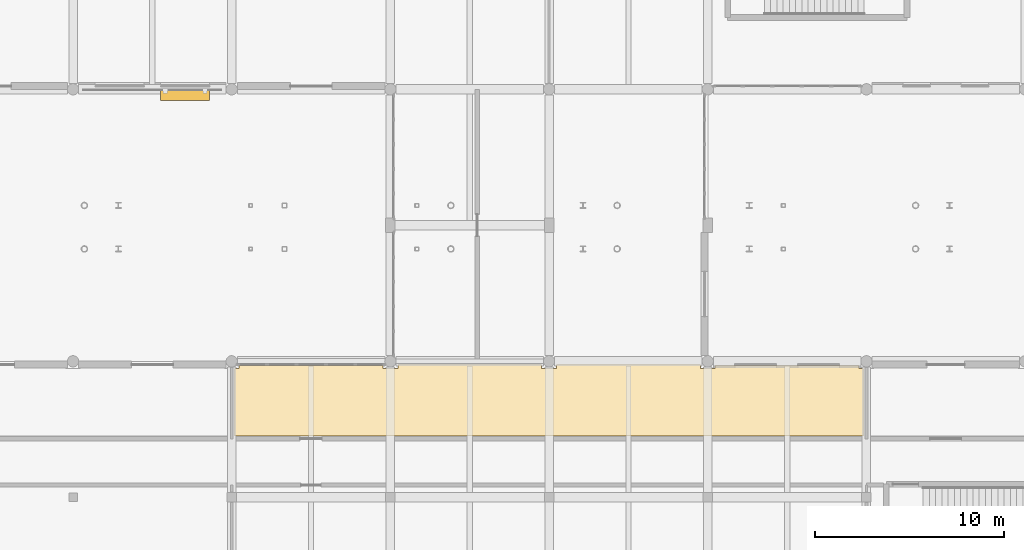
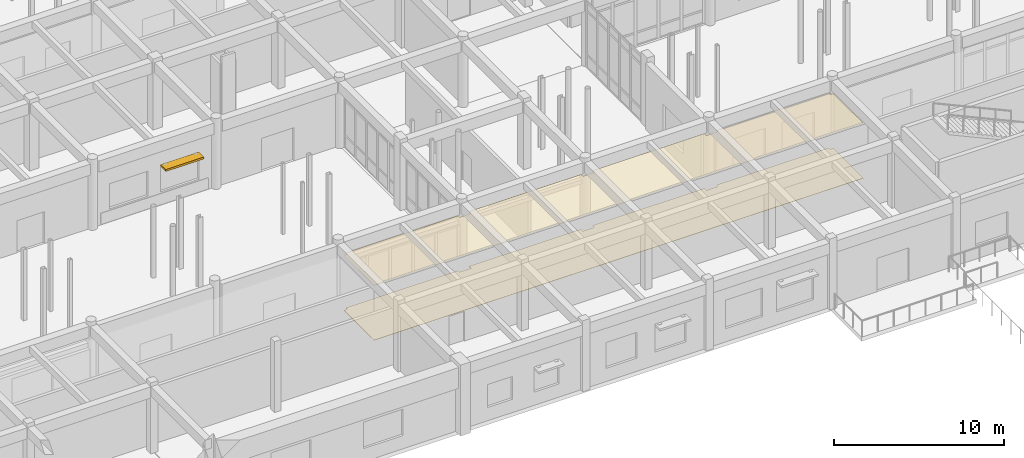
# One storey, part 104 of 121: 2 coverings, 1 shading device.
"""IFC4 building model written with IfcOpenShell, lengths in metres."""

import ifcopenshell
import ifcopenshell.guid

model = None  # the IFC model being written
_history = None  # IfcOwnerHistory: only IFC2X3 demands one
_inside = {}  # id of a spatial element -> (the spatial element, [elements in it])
_under = {}  # id of a project, library or spatial element -> (it, [spatial elements below it])
_declared = {}  # id of a project -> (the project, [libraries it declares])
_typed = {}  # id of a type object -> (the type object, [elements of that type])
_made_of = {}  # id of a material, layer set ... -> (it, [elements and type objects made of it])


def new_model(schema):
    """Start an empty IFC model of exactly this schema.

    Asked for "IFC4X3", IfcOpenShell would pick the latest addendum, in which some entities
    have other attributes; the version numbers below select the first issue.
    IFC2X3 requires an IfcOwnerHistory on every rooted entity: one is made here for all.
    """
    global model, _history
    if schema == "IFC4X3":
        model = ifcopenshell.file(schema_version=(4, 3, 0, 0))
    else:
        model = ifcopenshell.file(schema=schema)
    _inside.clear()
    _under.clear()
    _declared.clear()
    _typed.clear()
    _made_of.clear()
    _history = None
    if model.schema == "IFC2X3":
        org = make("IfcOrganization", Name="unknown")
        user = make(
            "IfcPersonAndOrganization",
            ThePerson=make("IfcPerson", FamilyName="unknown"),
            TheOrganization=org,
        )
        app = make(
            "IfcApplication",
            ApplicationDeveloper=org,
            Version="unknown",
            ApplicationFullName="unknown",
            ApplicationIdentifier="unknown",
        )
        _history = make(
            "IfcOwnerHistory",
            OwningUser=user,
            OwningApplication=app,
            ChangeAction="ADDED",
            CreationDate=0,
        )
    return model


def make(cls, **values):
    """One entity of the class cls with the attributes given. An attribute that is None is left unset."""
    return model.create_entity(
        cls, **{name: value for name, value in values.items() if value is not None}
    )


def rooted(cls, **values):
    """An entity with a GlobalId (a new one), such as an element, a storey or a relation."""
    return make(cls, GlobalId=ifcopenshell.guid.new(), OwnerHistory=_history, **values)


def si_unit(unit_type, name, prefix=None):
    """IfcSIUnit, for example si_unit("LENGTHUNIT", "METRE", prefix="MILLI")."""
    return make("IfcSIUnit", UnitType=unit_type, Prefix=prefix, Name=name)


def assignment(units):
    """IfcUnitAssignment: the units of a project."""
    return None if units is None else make("IfcUnitAssignment", Units=units)


def point(xyz):
    """IfcCartesianPoint."""
    return None if xyz is None else make("IfcCartesianPoint", Coordinates=xyz)


def direction(xyz):
    """IfcDirection."""
    return None if xyz is None else make("IfcDirection", DirectionRatios=xyz)


def frame(location, z_axis=None, x_axis=None):
    """IfcAxis2Placement3D, a coordinate frame: its origin and axes. An axis left out is left unset."""
    return make(
        "IfcAxis2Placement3D",
        Location=point(location),
        Axis=direction(z_axis),
        RefDirection=direction(x_axis),
    )


def frame_2d(location, x_axis=None):
    """IfcAxis2Placement2D, a coordinate frame in the plane: its origin and x axis."""
    return make(
        "IfcAxis2Placement2D", Location=point(location), RefDirection=direction(x_axis)
    )


def origin():
    """The frame at (0, 0, 0) with its axes left unset."""
    return frame((0.0, 0.0, 0.0))


def origin_2d():
    """The frame at (0, 0) in the plane with its x axis left unset."""
    return frame_2d((0.0, 0.0))


def place(relative_to, where):
    """IfcLocalPlacement: puts the frame where relative to a parent placement (None: the world)."""
    return make(
        "IfcLocalPlacement", PlacementRelTo=relative_to, RelativePlacement=where
    )


def context(
    kind, dimensions, precision=None, world=None, true_north=None, identifier=None
):
    """IfcGeometricRepresentationContext, for example the 3D "Model" context."""
    return make(
        "IfcGeometricRepresentationContext",
        ContextIdentifier=identifier,
        ContextType=kind,
        CoordinateSpaceDimension=dimensions,
        Precision=precision,
        WorldCoordinateSystem=world,
        TrueNorth=true_north,
    )


def subcontext(parent, identifier, kind, view, scale=None):
    """IfcGeometricRepresentationSubContext, for example "Body" below "Model"."""
    return make(
        "IfcGeometricRepresentationSubContext",
        ContextIdentifier=identifier,
        ContextType=kind,
        ParentContext=parent,
        TargetScale=scale,
        TargetView=view,
    )


def project(units=None, contexts=None):
    """IfcProject with its units and contexts."""
    return rooted(
        "IfcProject",
        Name="project",
        RepresentationContexts=contexts,
        UnitsInContext=assignment(units),
    )


def spatial(cls, under=None, at=None, **own):
    """A site, building, storey or space (cls), placed at a placement, below another one or the project."""
    s = rooted(cls, ObjectPlacement=at, **own)
    if under is not None:
        _under.setdefault(under.id(), (under, []))[1].append(s)
    return s


def polyline(points):
    """IfcPolyline through the points."""
    return make("IfcPolyline", Points=[point(p) for p in points])


def profile(cls, at=None, kind="AREA", **sizes):
    """A parametric profile (cls). Its sizes go by their IFC names, for example OverallWidth=200.0."""
    return make(cls, ProfileType=kind, Position=at, **sizes)


def rectangle(**sizes):
    """IfcRectangleProfileDef."""
    return profile("IfcRectangleProfileDef", **sizes)


def outline(outer, holes=None, kind="AREA"):
    """IfcArbitraryClosedProfileDef: a profile drawn as a closed curve; with holes, ...WithVoids."""
    if holes is None:
        return make("IfcArbitraryClosedProfileDef", ProfileType=kind, OuterCurve=outer)
    return make(
        "IfcArbitraryProfileDefWithVoids",
        ProfileType=kind,
        OuterCurve=outer,
        InnerCurves=holes,
    )


def extrude(swept, where, along, depth):
    """IfcExtrudedAreaSolid: the profile swept, set in the frame where, extruded along a direction by depth."""
    return make(
        "IfcExtrudedAreaSolid",
        SweptArea=swept,
        Position=where,
        ExtrudedDirection=direction(along),
        Depth=depth,
    )


def shape(context_of_items, identifier, shape_type, items):
    """IfcShapeRepresentation: the items that make up one representation, for example the "Body"."""
    return make(
        "IfcShapeRepresentation",
        ContextOfItems=context_of_items,
        RepresentationIdentifier=identifier,
        RepresentationType=shape_type,
        Items=items,
    )


def material(Name=None, Category=None):
    """IfcMaterial."""
    return make("IfcMaterial", Name=Name, Category=Category)


def layer(
    of_material, thickness, ventilated=None, Name=None, Category=None, Priority=None
):
    """IfcMaterialLayer: one layer of a wall or slab, of a material (None: an air gap)."""
    return make(
        "IfcMaterialLayer",
        Material=of_material,
        LayerThickness=thickness,
        IsVentilated=ventilated,
        Name=Name,
        Category=Category,
        Priority=Priority,
    )


def layer_set(layers, Name=None):
    """IfcMaterialLayerSet."""
    return make("IfcMaterialLayerSet", MaterialLayers=layers, LayerSetName=Name)


def made_of(thing, what):
    """Note that an element or type object is made of a material, layer set ...; save() writes the relation."""
    if what is not None:
        _made_of.setdefault(what.id(), (what, []))[1].append(thing)
    return thing


def type_object(cls, material=None, **own):
    """A type object (cls), such as IfcWallType, which elements share."""
    return made_of(rooted(cls, **own), material)


def element(
    cls,
    number,
    at=None,
    inside=None,
    cuts=None,
    type_object=None,
    material=None,
    context=None,
    identifier="Body",
    shape_type=None,
    held_by="IfcProductDefinitionShape",
    body=None,
    shapes=None,
    **own,
):
    """One element of the class cls, such as IfcWall. Its Tag is "e" and its number.

    at: its placement. inside: the storey or other place that contains it. cuts: it is an
    opening in that element (IfcRelVoidsElement). A single representation is given by context,
    identifier, shape_type and body (its items); several are given by shapes. held_by: the class
    of the entity that holds the representations. save() writes the other relations.
    """
    e = rooted(cls, Tag="e%d" % number, ObjectPlacement=at, **own)
    if body is not None:
        shapes = [shape(context, identifier, shape_type, body)]
    if shapes is not None:
        e.Representation = make(held_by, Representations=shapes)
    if inside is not None:
        _inside.setdefault(inside.id(), (inside, []))[1].append(e)
    if cuts is not None:
        rooted(
            "IfcRelVoidsElement", RelatingBuildingElement=cuts, RelatedOpeningElement=e
        )
    if type_object is not None:
        _typed.setdefault(type_object.id(), (type_object, []))[1].append(e)
    return made_of(e, material)


def aggregate(whole, parts):
    """IfcRelAggregates: a whole, such as a stair, and the parts it consists of."""
    return rooted("IfcRelAggregates", RelatingObject=whole, RelatedObjects=parts)


def save(model, path):
    """Write the relations noted so far, then the file.

    IfcRelAggregates (storeys below a building ...), IfcRelContainedInSpatialStructure (elements
    in a storey), IfcRelDefinesByType, IfcRelAssociatesMaterial and IfcRelDeclares: one each for
    every whole, place, type object, material and project.
    """
    for whole, parts in _under.values():
        aggregate(whole, parts)
    for where, things in _inside.values():
        rooted(
            "IfcRelContainedInSpatialStructure",
            RelatedElements=things,
            RelatingStructure=where,
        )
    for kind, things in _typed.values():
        rooted("IfcRelDefinesByType", RelatedObjects=things, RelatingType=kind)
    for what, things in _made_of.values():
        rooted("IfcRelAssociatesMaterial", RelatedObjects=things, RelatingMaterial=what)
    for by, libraries in _declared.values():
        rooted("IfcRelDeclares", RelatingContext=by, RelatedDefinitions=libraries)
    model.write(path)


model = new_model("IFC4")

# Units and contexts
model_context = context("Model", 3, precision=1e-05, world=origin(), true_north=direction((0.0, 1.0)))
body_context = subcontext(model_context, "Body", "Model", "MODEL_VIEW")
ifc_project = project(units=[si_unit("LENGTHUNIT", "METRE"), si_unit("AREAUNIT", "SQUARE_METRE"), si_unit("VOLUMEUNIT", "CUBIC_METRE"), si_unit("PLANEANGLEUNIT", "RADIAN"), si_unit("MASSUNIT", "GRAM", prefix="KILO")], contexts=[model_context])

# Site, building, storey
site_placement = place(None, origin())
site = spatial("IfcSite", under=ifc_project, at=site_placement, CompositionType="ELEMENT")
building_placement = place(site_placement, origin())
building = spatial("IfcBuilding", under=site, at=building_placement, Name="Malvenik Polytechnic", CompositionType="ELEMENT")
storey_placement = place(building_placement, origin())
storey = spatial("IfcBuildingStorey", under=building, at=storey_placement, Name="L00", CompositionType="ELEMENT", Elevation=0.0)

# Coverings
ifc_material_1 = material(Name="Perforated mineral-fibre acoustic suspended ceiling 600x600", Category="gypsum")
ifc_layer_1 = layer(ifc_material_1, 0.02490234375)
ifc_layer_set_1 = layer_set([ifc_layer_1], Name="Perforated mineral-fibre acoustic suspended ceiling 600x600")
covering_type_1 = type_object("IfcCoveringType", Name="ARC-COV-CEIL-AC", PredefinedType="CEILING", material=ifc_layer_set_1)
covering_1_placement = place(storey_placement, frame((0.0, 0.0, 3.93505859375)))
element("IfcCovering", 1, at=covering_1_placement, inside=storey, type_object=covering_type_1, Name="Acoustic Ceiling L00 Student Refectory Terrace Servery", PredefinedType="CEILING", context=body_context, shape_type="SweptSolid", body=[
    extrude(outline(polyline([(75.2099609375, 35.610107421875), (75.989990234375, 35.610107421875), (75.989990234375, 35.840087890625), (83.610107421875, 35.840087890625), (83.610107421875, 35.610107421875), (84.389892578125, 35.610107421875), (84.389892578125, 35.840087890625), (92.010009765625, 35.840087890625), (92.010009765625, 35.610107421875), (92.7900390625, 35.610107421875), (92.7900390625, 35.780029296875), (100.409912109375, 35.780029296875), (100.409912109375, 35.610107421875), (100.639892578125, 35.610107421875), (100.639892578125, 32.06005859375), (67.360107421875, 32.06005859375), (67.360107421875, 35.610107421875), (67.590087890625, 35.610107421875), (67.590087890625, 35.780029296875), (75.2099609375, 35.780029296875), (75.2099609375, 35.610107421875)])), origin(), (0.0, 0.0, 1.0), 0.02490234375),
])
ifc_material_2 = material(Name="Polished Danube aggregate terrazzo flooring 20mm", Category="stone")
ifc_layer_2 = layer(ifc_material_2, 0.02001953125)
ifc_layer_set_2 = layer_set([ifc_layer_2], Name="Polished Danube aggregate terrazzo flooring 20mm")
covering_type_2 = type_object("IfcCoveringType", Name="ARC-COV-FLR-TER", PredefinedType="FLOORING", material=ifc_layer_set_2)
covering_2_placement = place(storey_placement, origin())
element("IfcCovering", 2, at=covering_2_placement, inside=storey, type_object=covering_type_2, Name="Floor Finish FLR-01 L00 Student Refectory Terrace Servery", PredefinedType="FLOORING", context=body_context, shape_type="SweptSolid", body=[
    extrude(outline(polyline([(75.2099609375, 35.610107421875), (75.989990234375, 35.610107421875), (75.989990234375, 35.840087890625), (83.610107421875, 35.840087890625), (83.610107421875, 35.610107421875), (84.389892578125, 35.610107421875), (84.389892578125, 35.840087890625), (92.010009765625, 35.840087890625), (92.010009765625, 35.610107421875), (92.7900390625, 35.610107421875), (92.7900390625, 35.780029296875), (100.409912109375, 35.780029296875), (100.409912109375, 35.610107421875), (100.639892578125, 35.610107421875), (100.639892578125, 32.06005859375), (67.360107421875, 32.06005859375), (67.360107421875, 35.610107421875), (67.590087890625, 35.610107421875), (67.590087890625, 35.780029296875), (75.2099609375, 35.780029296875), (75.2099609375, 35.610107421875)])), origin(), (0.0, 0.0, 1.0), 0.02001953125),
])

# Shading device
ifc_material_3 = material(Name="Extruded anodised aluminium solar brise-soleil louvre", Category="aluminium")
shading_device_type = type_object("IfcShadingDeviceType", Name="ARC-SHD-LOUVRE", PredefinedType="JALOUSIE", material=ifc_material_3)
shading_device_placement = place(storey_placement, frame((64.73388671875, 50.10009765625, 2.76025390625), z_axis=(0.0, 0.0, 1.0), x_axis=(1.0, 0.0, 0.0)))
element("IfcShadingDevice", 3, at=shading_device_placement, inside=storey, type_object=shading_device_type, Name="Solar Brise-Soleil Louvre SH-01 #2", PredefinedType="JALOUSIE", context=body_context, shape_type="SweptSolid", body=[
    extrude(rectangle(XDim=2.60009765625, YDim=0.60009765625, at=origin_2d()), origin(), (0.0, 0.0, 1.0), 0.139892578125),
])

save(model, "model.ifc")
